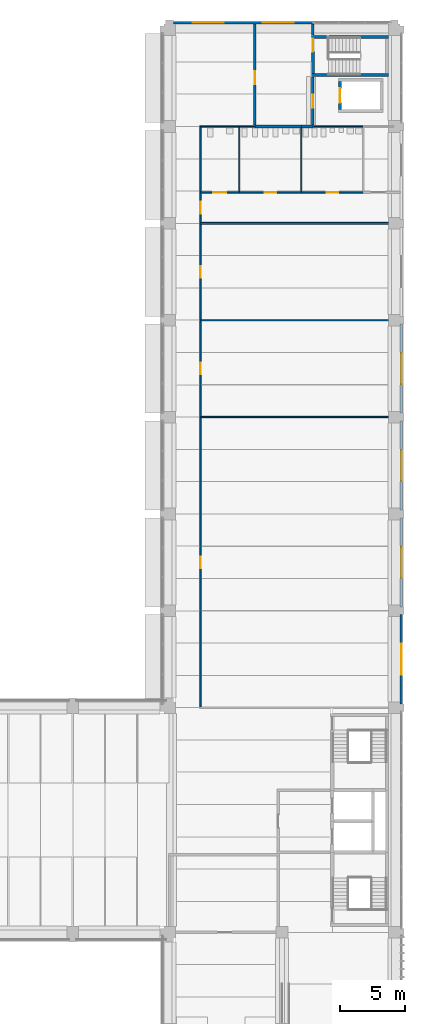
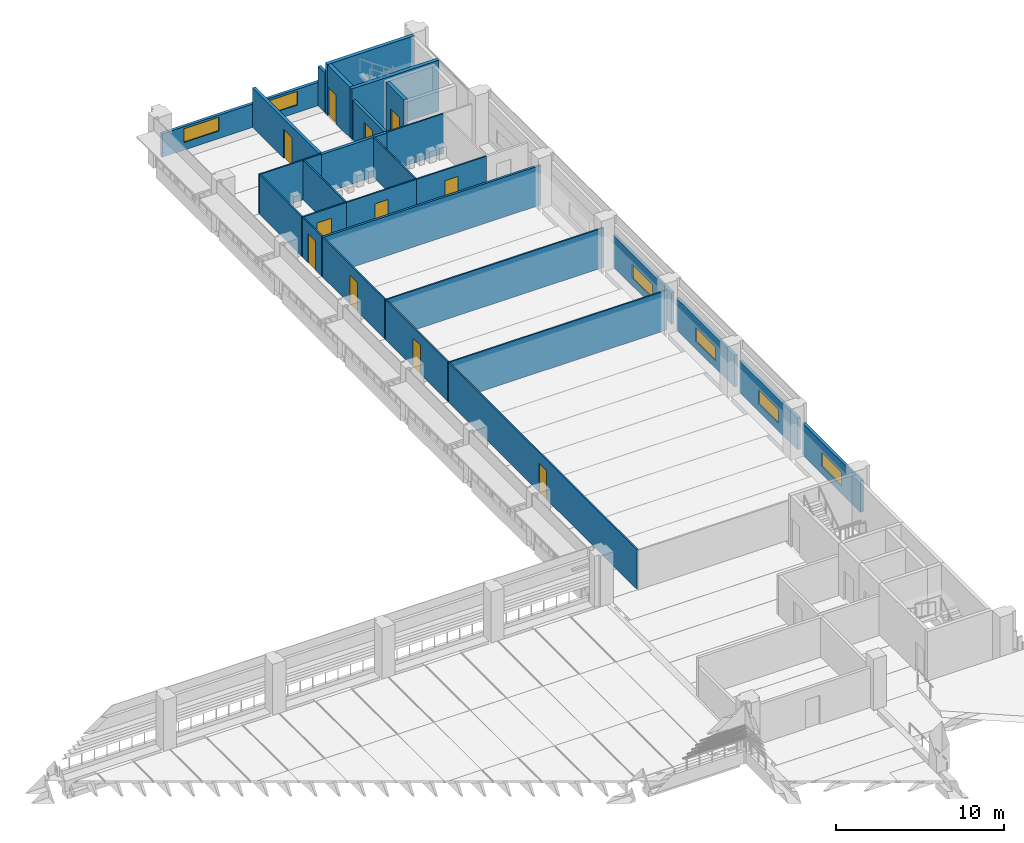
# One storey, part 34 of 57: 30 walls, 11 doors, 6 windows, 17 openings.
"""IFC4 building model written with IfcOpenShell, lengths in metres."""

from ifc_helpers import new_model, si_unit, direction, frame, frame_2d, origin, place, context, subcontext, project, spatial, rectangle, extrude, material, layer, layer_set, type_object, element, fill, save


model = new_model("IFC4")

# Units and contexts
model_context = context("Model", 3, precision=1e-05, world=origin(), true_north=direction((0.0, 1.0)))
body_context = subcontext(model_context, "Body", "Model", "MODEL_VIEW")
ifc_project = project(units=[si_unit("LENGTHUNIT", "METRE"), si_unit("AREAUNIT", "SQUARE_METRE"), si_unit("VOLUMEUNIT", "CUBIC_METRE"), si_unit("PLANEANGLEUNIT", "RADIAN"), si_unit("MASSUNIT", "GRAM", prefix="KILO")], contexts=[model_context])

# Site, building, storey
site_placement = place(None, origin())
site = spatial("IfcSite", under=ifc_project, at=site_placement, CompositionType="ELEMENT")
building_placement = place(site_placement, origin())
building = spatial("IfcBuilding", under=site, at=building_placement, Name="Cour d'Honneur Mobility Palace", CompositionType="ELEMENT")
storey_placement = place(building_placement, frame((0.0, 0.0, 8.199951171875)))
storey = spatial("IfcBuildingStorey", under=building, at=storey_placement, Name="L02", CompositionType="ELEMENT", Elevation=8.199951171875)

# Wall, opening, door
ifc_material_1 = material(Name="Concrete C50", Category="concrete")
ifc_layer_1 = layer(ifc_material_1, 0.25)
ifc_layer_set_1 = layer_set([ifc_layer_1], Name="Concrete C50")
wall_type_1 = type_object("IfcWallType", Name="Lift shaft wall 250", PredefinedType="SHEAR", material=ifc_layer_set_1)
wall_1_placement = place(storey_placement, frame((158.10009765625, 108.72509765625, 0.0), z_axis=(0.0, 0.0, 1.0), x_axis=(0.0, 1.0, 0.0)))
wall_1 = element("IfcWall", 1, at=wall_1_placement, inside=storey, type_object=wall_type_1, Name="Lift shaft wall WL-NE6 L02", PredefinedType="SHEAR", context=body_context, shape_type="SweptSolid", body=[
    extrude(rectangle(XDim=2.14990234375, YDim=0.25, at=frame_2d((1.074951171875, 0.0))), origin(), (0.0, 0.0, 1.0), 3.699951171875),
])
opening_1_placement = place(wall_1_placement, frame((0.52490234375, 0.0, 0.0)))
opening_1 = element("IfcOpeningElement", 2, at=opening_1_placement, cuts=wall_1, Name="Opening LD61", PredefinedType="OPENING", context=body_context, shape_type="SweptSolid", body=[
    extrude(rectangle(XDim=1.10009765625, YDim=2.10009765625, at=frame_2d((0.550048828125, 1.050048828125))), frame((0.0, 0.135009765625, 0.0), z_axis=(0.0, -1.0, 0.0), x_axis=(1.0, 0.0, 0.0)), (0.0, 0.0, 1.0), 0.27001953125),
])
ifc_material_2 = material(Name="Stainless steel", Category="steel")
door_type_1 = type_object("IfcDoorType", Name="Landing door 1100 x 2100", OperationType="SLIDING_TO_LEFT", PredefinedType="DOOR", material=ifc_material_2)
door_1_placement = place(opening_1_placement, origin())
door_1 = element("IfcDoor", 3, at=door_1_placement, inside=storey, type_object=door_type_1, Name="Landing door LF-NE1 L02", OperationType="SLIDING_TO_LEFT", OverallHeight=2.10009765625, OverallWidth=1.10009765625, PredefinedType="DOOR", context=body_context, shape_type="SweptSolid", body=[
    extrude(rectangle(XDim=1.10009765625, YDim=2.10009765625, at=frame_2d((0.550048828125, 1.050048828125))), frame((0.0, 0.02490234375, 0.0), z_axis=(0.0, -1.0, 0.0), x_axis=(1.0, 0.0, 0.0)), (0.0, 0.0, 1.0), 0.050048828125),
])
fill(opening_1, door_1)

ifc_material_3 = material(Name="Concrete C50", Category="concrete")
ifc_layer_2 = layer(ifc_material_3, 0.199951171875)
ifc_layer_set_2 = layer_set([ifc_layer_2], Name="Concrete C50")
wall_type_2 = type_object("IfcWallType", Name="Load-bearing lobby wall 200 rated EI 120", PredefinedType="PARTITIONING", material=ifc_layer_set_2)
wall_2_placement = place(storey_placement, frame((156.0, 107.5, 0.0), z_axis=(0.0, 0.0, 1.0), x_axis=(0.0, 1.0, 0.0)))
wall_2 = element("IfcWall", 4, at=wall_2_placement, inside=storey, type_object=wall_type_2, Name="Partition 081", PredefinedType="PARTITIONING", context=body_context, shape_type="SweptSolid", body=[
    extrude(rectangle(XDim=3.72509765625, YDim=0.199951171875, at=frame_2d((1.862548828125, 0.0))), origin(), (0.0, 0.0, 1.0), 2.880126953125),
])
opening_2_placement = place(wall_2_placement, frame((1.362548828125, 0.0, 0.0)))
opening_2 = element("IfcOpeningElement", 5, at=opening_2_placement, cuts=wall_2, Name="Opening D0230", PredefinedType="OPENING", context=body_context, shape_type="SweptSolid", body=[
    extrude(rectangle(XDim=1.0, YDim=2.10009765625, at=frame_2d((0.5, 1.050048828125))), frame((0.0, 0.10986328125, 0.0), z_axis=(0.0, -1.0, 0.0), x_axis=(1.0, 0.0, 0.0)), (0.0, 0.0, 1.0), 0.219970703125),
])
ifc_material_4 = material(Name="Galvanised steel", Category="steel")
door_type_2 = type_object("IfcDoorType", Name="Fire door FD120 1000 x 2100", OperationType="SINGLE_SWING_LEFT", PredefinedType="DOOR", material=ifc_material_4)
door_2_placement = place(opening_2_placement, origin())
door_2 = element("IfcDoor", 6, at=door_2_placement, inside=storey, type_object=door_type_2, Name="Door Lift Lobby", OperationType="SINGLE_SWING_RIGHT", OverallHeight=2.10009765625, OverallWidth=1.0, PredefinedType="DOOR", context=body_context, shape_type="SweptSolid", body=[
    extrude(rectangle(XDim=1.0, YDim=2.10009765625, at=frame_2d((0.5, 1.050048828125))), frame((0.0, 0.02490234375, 0.0), z_axis=(0.0, -1.0, 0.0), x_axis=(1.0, 0.0, 0.0)), (0.0, 0.0, 1.0), 0.050048828125),
])
fill(opening_2, door_2)

ifc_material_5 = material(Name="Gypsum plasterboard")
ifc_layer_3 = layer(ifc_material_5, 0.10009765625)
ifc_layer_set_3 = layer_set([ifc_layer_3], Name="Gypsum plasterboard")
wall_type_3 = type_object("IfcWallType", Name="Partition 100", PredefinedType="PARTITIONING", material=ifc_layer_set_3)
wall_3_placement = place(storey_placement, frame((147.300048828125, 84.85009765625, 0.0), z_axis=(0.0, 0.0, 1.0), x_axis=(0.0, -1.0, 0.0)))
wall_3 = element("IfcWall", 7, at=wall_3_placement, inside=storey, type_object=wall_type_3, Name="Partition 046", PredefinedType="PARTITIONING", context=body_context, shape_type="SweptSolid", body=[
    extrude(rectangle(XDim=22.400146484375, YDim=0.10009765625, at=frame_2d((11.2001953125, 0.0))), origin(), (0.0, 0.0, 1.0), 2.880126953125),
])
opening_3_placement = place(wall_3_placement, frame((10.75, 0.0, 0.0)))
opening_3 = element("IfcOpeningElement", 8, at=opening_3_placement, cuts=wall_3, Name="Opening D0220", PredefinedType="OPENING", context=body_context, shape_type="SweptSolid", body=[
    extrude(rectangle(XDim=0.89990234375, YDim=2.10009765625, at=frame_2d((0.449951171875, 1.050048828125))), frame((0.0, 0.06005859375, 0.0), z_axis=(0.0, -1.0, 0.0), x_axis=(1.0, 0.0, 0.0)), (0.0, 0.0, 1.0), 0.1201171875),
])
ifc_material_6 = material(Name="Solid timber", Category="wood")
door_type_3 = type_object("IfcDoorType", Name="Single door 900 x 2100", OperationType="SINGLE_SWING_LEFT", PredefinedType="DOOR", material=ifc_material_6)
door_3_placement = place(opening_3_placement, origin())
door_3 = element("IfcDoor", 9, at=door_3_placement, inside=storey, type_object=door_type_3, Name="Door Mobility Operations Centre", OperationType="SINGLE_SWING_LEFT", OverallHeight=2.10009765625, OverallWidth=0.89990234375, PredefinedType="DOOR", context=body_context, shape_type="SweptSolid", body=[
    extrude(rectangle(XDim=0.89990234375, YDim=2.10009765625, at=frame_2d((0.449951171875, 1.050048828125))), frame((0.0, 0.02490234375, 0.0), z_axis=(0.0, -1.0, 0.0), x_axis=(1.0, 0.0, 0.0)), (0.0, 0.0, 1.0), 0.050048828125),
])
fill(opening_3, door_3)

# Wall
wall_4_placement = place(storey_placement, frame((162.239990234375, 84.89990234375, 0.0), z_axis=(0.0, 0.0, 1.0), x_axis=(-1.0, 0.0, 0.0)))
element("IfcWall", 10, at=wall_4_placement, inside=storey, type_object=wall_type_3, Name="Partition 047", PredefinedType="PARTITIONING", context=body_context, shape_type="SweptSolid", body=[
    extrude(rectangle(XDim=14.989990234375, YDim=0.10009765625, at=frame_2d((7.4951171875, 0.0))), origin(), (0.0, 0.0, 1.0), 2.880126953125),
])

# Wall, opening, door
wall_5_placement = place(storey_placement, frame((147.300048828125, 92.35009765625, 0.0), z_axis=(0.0, 0.0, 1.0), x_axis=(0.0, -1.0, 0.0)))
wall_5 = element("IfcWall", 11, at=wall_5_placement, inside=storey, type_object=wall_type_3, Name="Partition 048", PredefinedType="PARTITIONING", context=body_context, shape_type="SweptSolid", body=[
    extrude(rectangle(XDim=7.400146484375, YDim=0.10009765625, at=frame_2d((3.7001953125, 0.0))), origin(), (0.0, 0.0, 1.0), 2.880126953125),
])
opening_4_placement = place(wall_5_placement, frame((3.25, 0.0, 0.0)))
opening_4 = element("IfcOpeningElement", 12, at=opening_4_placement, cuts=wall_5, Name="Opening D0221", PredefinedType="OPENING", context=body_context, shape_type="SweptSolid", body=[
    extrude(rectangle(XDim=0.89990234375, YDim=2.10009765625, at=frame_2d((0.449951171875, 1.050048828125))), frame((0.0, 0.06005859375, 0.0), z_axis=(0.0, -1.0, 0.0), x_axis=(1.0, 0.0, 0.0)), (0.0, 0.0, 1.0), 0.1201171875),
])
door_4_placement = place(opening_4_placement, origin())
door_4 = element("IfcDoor", 13, at=door_4_placement, inside=storey, type_object=door_type_3, Name="Door Driver Training Room 1", OperationType="SINGLE_SWING_LEFT", OverallHeight=2.10009765625, OverallWidth=0.89990234375, PredefinedType="DOOR", context=body_context, shape_type="SweptSolid", body=[
    extrude(rectangle(XDim=0.89990234375, YDim=2.10009765625, at=frame_2d((0.449951171875, 1.050048828125))), frame((0.0, 0.02490234375, 0.0), z_axis=(0.0, -1.0, 0.0), x_axis=(1.0, 0.0, 0.0)), (0.0, 0.0, 1.0), 0.050048828125),
])
fill(opening_4, door_4)

# Wall
wall_6_placement = place(storey_placement, frame((162.239990234375, 92.39990234375, 0.0), z_axis=(0.0, 0.0, 1.0), x_axis=(-1.0, 0.0, 0.0)))
element("IfcWall", 14, at=wall_6_placement, inside=storey, type_object=wall_type_3, Name="Partition 049", PredefinedType="PARTITIONING", context=body_context, shape_type="SweptSolid", body=[
    extrude(rectangle(XDim=14.989990234375, YDim=0.10009765625, at=frame_2d((7.4951171875, 0.0))), origin(), (0.0, 0.0, 1.0), 2.880126953125),
])

# Wall, opening, door
wall_7_placement = place(storey_placement, frame((147.300048828125, 99.824951171875, 0.0), z_axis=(0.0, 0.0, 1.0), x_axis=(0.0, -1.0, 0.0)))
wall_7 = element("IfcWall", 15, at=wall_7_placement, inside=storey, type_object=wall_type_3, Name="Partition 052", PredefinedType="PARTITIONING", context=body_context, shape_type="SweptSolid", body=[
    extrude(rectangle(XDim=7.375, YDim=0.10009765625, at=frame_2d((3.6875, 0.0))), origin(), (0.0, 0.0, 1.0), 2.880126953125),
])
opening_5_placement = place(wall_7_placement, frame((3.237548828125, 0.0, 0.0)))
opening_5 = element("IfcOpeningElement", 16, at=opening_5_placement, cuts=wall_7, Name="Opening D0222", PredefinedType="OPENING", context=body_context, shape_type="SweptSolid", body=[
    extrude(rectangle(XDim=0.89990234375, YDim=2.10009765625, at=frame_2d((0.449951171875, 1.050048828125))), frame((0.0, 0.06005859375, 0.0), z_axis=(0.0, -1.0, 0.0), x_axis=(1.0, 0.0, 0.0)), (0.0, 0.0, 1.0), 0.1201171875),
])
door_5_placement = place(opening_5_placement, origin())
door_5 = element("IfcDoor", 17, at=door_5_placement, inside=storey, type_object=door_type_3, Name="Door Driver Training Room 2", OperationType="SINGLE_SWING_LEFT", OverallHeight=2.10009765625, OverallWidth=0.89990234375, PredefinedType="DOOR", context=body_context, shape_type="SweptSolid", body=[
    extrude(rectangle(XDim=0.89990234375, YDim=2.10009765625, at=frame_2d((0.449951171875, 1.050048828125))), frame((0.0, 0.02490234375, 0.0), z_axis=(0.0, -1.0, 0.0), x_axis=(1.0, 0.0, 0.0)), (0.0, 0.0, 1.0), 0.050048828125),
])
fill(opening_5, door_5)

wall_8_placement = place(storey_placement, frame((147.300048828125, 102.25, 0.0), z_axis=(0.0, 0.0, 1.0), x_axis=(0.0, -1.0, 0.0)))
wall_8 = element("IfcWall", 18, at=wall_8_placement, inside=storey, type_object=wall_type_3, Name="Partition 062", PredefinedType="PARTITIONING", context=body_context, shape_type="SweptSolid", body=[
    extrude(rectangle(XDim=2.27490234375, YDim=0.10009765625, at=frame_2d((1.137451171875, 0.0))), origin(), (0.0, 0.0, 1.0), 2.880126953125),
])
opening_6_placement = place(wall_8_placement, frame((0.6875, 0.0, 0.0)))
opening_6 = element("IfcOpeningElement", 19, at=opening_6_placement, cuts=wall_8, Name="Opening D0223", PredefinedType="OPENING", context=body_context, shape_type="SweptSolid", body=[
    extrude(rectangle(XDim=0.89990234375, YDim=2.10009765625, at=frame_2d((0.449951171875, 1.050048828125))), frame((0.0, 0.06005859375, 0.0), z_axis=(0.0, -1.0, 0.0), x_axis=(1.0, 0.0, 0.0)), (0.0, 0.0, 1.0), 0.1201171875),
])
door_6_placement = place(opening_6_placement, origin())
door_6 = element("IfcDoor", 20, at=door_6_placement, inside=storey, type_object=door_type_3, Name="Door WC Corridor East", OperationType="SINGLE_SWING_LEFT", OverallHeight=2.10009765625, OverallWidth=0.89990234375, PredefinedType="DOOR", context=body_context, shape_type="SweptSolid", body=[
    extrude(rectangle(XDim=0.89990234375, YDim=2.10009765625, at=frame_2d((0.449951171875, 1.050048828125))), frame((0.0, 0.02490234375, 0.0), z_axis=(0.0, -1.0, 0.0), x_axis=(1.0, 0.0, 0.0)), (0.0, 0.0, 1.0), 0.050048828125),
])
fill(opening_6, door_6)

wall_9_placement = place(storey_placement, frame((150.300048828125, 102.300048828125, 0.0), z_axis=(0.0, 0.0, 1.0), x_axis=(-1.0, 0.0, 0.0)))
wall_9 = element("IfcWall", 21, at=wall_9_placement, inside=storey, type_object=wall_type_3, Name="Partition 063", PredefinedType="PARTITIONING", context=body_context, shape_type="SweptSolid", body=[
    extrude(rectangle(XDim=3.050048828125, YDim=0.10009765625, at=frame_2d((1.52490234375, 0.0))), origin(), (0.0, 0.0, 1.0), 2.880126953125),
])
opening_7_placement = place(wall_9_placement, frame((1.02490234375, 0.0, 0.0)))
opening_7 = element("IfcOpeningElement", 22, at=opening_7_placement, cuts=wall_9, Name="Opening D0227", PredefinedType="OPENING", context=body_context, shape_type="SweptSolid", body=[
    extrude(rectangle(XDim=1.0, YDim=2.10009765625, at=frame_2d((0.5, 1.050048828125))), frame((0.0, 0.06005859375, 0.0), z_axis=(0.0, -1.0, 0.0), x_axis=(1.0, 0.0, 0.0)), (0.0, 0.0, 1.0), 0.1201171875),
])
ifc_material_7 = material(Name="Solid timber", Category="wood")
door_type_4 = type_object("IfcDoorType", Name="Accessible door 1000 x 2100", OperationType="SINGLE_SWING_LEFT", PredefinedType="DOOR", material=ifc_material_7)
door_7_placement = place(opening_7_placement, origin())
door_7 = element("IfcDoor", 23, at=door_7_placement, inside=storey, type_object=door_type_4, Name="Door Accessible WC East", OperationType="SINGLE_SWING_RIGHT", OverallHeight=2.10009765625, OverallWidth=1.0, PredefinedType="DOOR", context=body_context, shape_type="SweptSolid", body=[
    extrude(rectangle(XDim=1.0, YDim=2.10009765625, at=frame_2d((0.5, 1.050048828125))), frame((0.0, 0.02490234375, 0.0), z_axis=(0.0, -1.0, 0.0), x_axis=(1.0, 0.0, 0.0)), (0.0, 0.0, 1.0), 0.050048828125),
])
fill(opening_7, door_7)

wall_10_placement = place(storey_placement, frame((155.10009765625, 102.300048828125, 0.0), z_axis=(0.0, 0.0, 1.0), x_axis=(-1.0, 0.0, 0.0)))
wall_10 = element("IfcWall", 24, at=wall_10_placement, inside=storey, type_object=wall_type_3, Name="Partition 064", PredefinedType="PARTITIONING", context=body_context, shape_type="SweptSolid", body=[
    extrude(rectangle(XDim=4.800048828125, YDim=0.10009765625, at=frame_2d((2.39990234375, 0.0))), origin(), (0.0, 0.0, 1.0), 2.880126953125),
])
opening_8_placement = place(wall_10_placement, frame((1.949951171875, 0.0, 0.0)))
opening_8 = element("IfcOpeningElement", 25, at=opening_8_placement, cuts=wall_10, Name="Opening D0226", PredefinedType="OPENING", context=body_context, shape_type="SweptSolid", body=[
    extrude(rectangle(XDim=0.89990234375, YDim=2.10009765625, at=frame_2d((0.449951171875, 1.050048828125))), frame((0.0, 0.06005859375, 0.0), z_axis=(0.0, -1.0, 0.0), x_axis=(1.0, 0.0, 0.0)), (0.0, 0.0, 1.0), 0.1201171875),
])
door_8_placement = place(opening_8_placement, origin())
door_8 = element("IfcDoor", 26, at=door_8_placement, inside=storey, type_object=door_type_3, Name="Door WC Women East", OperationType="SINGLE_SWING_LEFT", OverallHeight=2.10009765625, OverallWidth=0.89990234375, PredefinedType="DOOR", context=body_context, shape_type="SweptSolid", body=[
    extrude(rectangle(XDim=0.89990234375, YDim=2.10009765625, at=frame_2d((0.449951171875, 1.050048828125))), frame((0.0, 0.02490234375, 0.0), z_axis=(0.0, -1.0, 0.0), x_axis=(1.0, 0.0, 0.0)), (0.0, 0.0, 1.0), 0.050048828125),
])
fill(opening_8, door_8)

wall_11_placement = place(storey_placement, frame((159.89990234375, 102.300048828125, 0.0), z_axis=(0.0, 0.0, 1.0), x_axis=(-1.0, 0.0, 0.0)))
wall_11 = element("IfcWall", 27, at=wall_11_placement, inside=storey, type_object=wall_type_3, Name="Partition 065", PredefinedType="PARTITIONING", context=body_context, shape_type="SweptSolid", body=[
    extrude(rectangle(XDim=4.7998046875, YDim=0.10009765625, at=frame_2d((2.39990234375, 0.0))), origin(), (0.0, 0.0, 1.0), 2.880126953125),
])
opening_9_placement = place(wall_11_placement, frame((1.949951171875, 0.0, 0.0)))
opening_9 = element("IfcOpeningElement", 28, at=opening_9_placement, cuts=wall_11, Name="Opening D0225", PredefinedType="OPENING", context=body_context, shape_type="SweptSolid", body=[
    extrude(rectangle(XDim=0.89990234375, YDim=2.10009765625, at=frame_2d((0.449951171875, 1.050048828125))), frame((0.0, 0.06005859375, 0.0), z_axis=(0.0, -1.0, 0.0), x_axis=(1.0, 0.0, 0.0)), (0.0, 0.0, 1.0), 0.1201171875),
])
door_9_placement = place(opening_9_placement, origin())
door_9 = element("IfcDoor", 29, at=door_9_placement, inside=storey, type_object=door_type_3, Name="Door WC Men East", OperationType="SINGLE_SWING_LEFT", OverallHeight=2.10009765625, OverallWidth=0.89990234375, PredefinedType="DOOR", context=body_context, shape_type="SweptSolid", body=[
    extrude(rectangle(XDim=0.89990234375, YDim=2.10009765625, at=frame_2d((0.449951171875, 1.050048828125))), frame((0.0, 0.02490234375, 0.0), z_axis=(0.0, -1.0, 0.0), x_axis=(1.0, 0.0, 0.0)), (0.0, 0.0, 1.0), 0.050048828125),
])
fill(opening_9, door_9)

# Walls
for number, where, z_axis, x_axis, name in (
    (30, (147.300048828125, 107.35009765625, 0.0), (0.0, 0.0, 1.0), (0.0, -1.0, 0.0), "Partition 074"),
    (31, (150.300048828125, 107.35009765625, 0.0), (0.0, 0.0, 1.0), (0.0, -1.0, 0.0), "Partition 075"),
):
    element("IfcWall", number, at=place(storey_placement, frame(where, z_axis=z_axis, x_axis=x_axis)), inside=storey, type_object=wall_type_3, Name=name, PredefinedType="PARTITIONING", context=body_context, shape_type="SweptSolid", body=[
        extrude(rectangle(XDim=5.0, YDim=0.10009765625, at=frame_2d((2.5, 0.0))), origin(), (0.0, 0.0, 1.0), 2.880126953125),
    ])
wall_12_placement = place(storey_placement, frame((150.300048828125, 107.39990234375, 0.0), z_axis=(0.0, 0.0, 1.0), x_axis=(-1.0, 0.0, 0.0)))
element("IfcWall", 32, at=wall_12_placement, inside=storey, type_object=wall_type_3, Name="Partition 076", PredefinedType="PARTITIONING", context=body_context, shape_type="SweptSolid", body=[
    extrude(rectangle(XDim=3.050048828125, YDim=0.10009765625, at=frame_2d((1.52490234375, 0.0))), origin(), (0.0, 0.0, 1.0), 2.880126953125),
])
wall_13_placement = place(storey_placement, frame((151.5, 107.39990234375, 0.0), z_axis=(0.0, 0.0, 1.0), x_axis=(-1.0, 0.0, 0.0)))
element("IfcWall", 33, at=wall_13_placement, inside=storey, type_object=wall_type_3, Name="Partition 077", PredefinedType="PARTITIONING", context=body_context, shape_type="SweptSolid", body=[
    extrude(rectangle(XDim=1.199951171875, YDim=0.10009765625, at=frame_2d((0.60009765625, 0.0))), origin(), (0.0, 0.0, 1.0), 2.880126953125),
])
wall_14_placement = place(storey_placement, frame((155.10009765625, 107.300048828125, 0.0), z_axis=(0.0, 0.0, 1.0), x_axis=(0.0, -1.0, 0.0)))
element("IfcWall", 34, at=wall_14_placement, inside=storey, type_object=wall_type_3, Name="Partition 079", PredefinedType="PARTITIONING", context=body_context, shape_type="SweptSolid", body=[
    extrude(rectangle(XDim=4.949951171875, YDim=0.10009765625, at=frame_2d((2.47509765625, 0.0))), origin(), (0.0, 0.0, 1.0), 2.880126953125),
])
wall_15_placement = place(storey_placement, frame((159.89990234375, 107.39990234375, 0.0), z_axis=(0.0, 0.0, 1.0), x_axis=(-1.0, 0.0, 0.0)))
element("IfcWall", 35, at=wall_15_placement, inside=storey, type_object=wall_type_3, Name="Partition 083", PredefinedType="PARTITIONING", context=body_context, shape_type="SweptSolid", body=[
    extrude(rectangle(XDim=3.89990234375, YDim=0.10009765625, at=frame_2d((1.949951171875, 0.0))), origin(), (0.0, 0.0, 1.0), 2.880126953125),
])
ifc_material_8 = material(Name="Gypsum plasterboard")
ifc_layer_4 = layer(ifc_material_8, 0.14990234375)
ifc_layer_set_4 = layer_set([ifc_layer_4], Name="Gypsum plasterboard")
wall_type_4 = type_object("IfcWallType", Name="Partition 150 rated EI 60", PredefinedType="PARTITIONING", material=ifc_layer_set_4)
wall_16_placement = place(storey_placement, frame((162.239990234375, 99.89990234375, 0.0), z_axis=(0.0, 0.0, 1.0), x_axis=(-1.0, 0.0, 0.0)))
element("IfcWall", 36, at=wall_16_placement, inside=storey, type_object=wall_type_4, Name="Partition 053", PredefinedType="PARTITIONING", context=body_context, shape_type="SweptSolid", body=[
    extrude(rectangle(XDim=14.989990234375, YDim=0.14990234375, at=frame_2d((7.4951171875, 0.0))), origin(), (0.0, 0.0, 1.0), 2.880126953125),
])
ifc_material_9 = material(Name="Gypsum plasterboard")
ifc_layer_5 = layer(ifc_material_9, 0.199951171875)
ifc_layer_set_5 = layer_set([ifc_layer_5], Name="Gypsum plasterboard")
wall_type_5 = type_object("IfcWallType", Name="Partition 200 rated EI 120", PredefinedType="PARTITIONING", material=ifc_layer_set_5)
wall_17_placement = place(storey_placement, frame((151.5, 107.39990234375, 0.0), z_axis=(0.0, 0.0, 1.0), x_axis=(1.0, 0.0, 0.0)))
element("IfcWall", 37, at=wall_17_placement, inside=storey, type_object=wall_type_5, Name="Partition 078", PredefinedType="PARTITIONING", context=body_context, shape_type="SweptSolid", body=[
    extrude(rectangle(XDim=3.60009765625, YDim=0.199951171875, at=frame_2d((1.800048828125, 0.0))), origin(), (0.0, 0.0, 1.0), 2.880126953125),
])
wall_18_placement = place(storey_placement, frame((155.10009765625, 107.39990234375, 0.0), z_axis=(0.0, 0.0, 1.0), x_axis=(1.0, 0.0, 0.0)))
element("IfcWall", 38, at=wall_18_placement, inside=storey, type_object=wall_type_5, Name="Partition 080", PredefinedType="PARTITIONING", context=body_context, shape_type="SweptSolid", body=[
    extrude(rectangle(XDim=0.89990234375, YDim=0.199951171875, at=frame_2d((0.449951171875, 0.0))), origin(), (0.0, 0.0, 1.0), 2.880126953125),
])
wall_19_placement = place(storey_placement, frame((156.0, 114.5, 0.0), z_axis=(0.0, 0.0, 1.0), x_axis=(0.0, 1.0, 0.0)))
element("IfcWall", 39, at=wall_19_placement, inside=storey, type_object=wall_type_5, Name="Partition 086", PredefinedType="PARTITIONING", context=body_context, shape_type="SweptSolid", body=[
    extrude(rectangle(XDim=0.85009765625, YDim=0.199951171875, at=frame_2d((0.425048828125, 0.0))), origin(), (0.0, 0.0, 1.0), 2.880126953125),
])

# Wall, opening, door
wall_20_placement = place(storey_placement, frame((151.5, 115.35009765625, 0.0), z_axis=(0.0, 0.0, 1.0), x_axis=(0.0, -1.0, 0.0)))
wall_20 = element("IfcWall", 40, at=wall_20_placement, inside=storey, type_object=wall_type_5, Name="Partition 088", PredefinedType="PARTITIONING", context=body_context, shape_type="SweptSolid", body=[
    extrude(rectangle(XDim=7.85009765625, YDim=0.199951171875, at=frame_2d((3.925048828125, 0.0))), origin(), (0.0, 0.0, 1.0), 2.880126953125),
])
opening_10_placement = place(wall_20_placement, frame((3.679931640625, 0.0, 0.0)))
opening_10 = element("IfcOpeningElement", 41, at=opening_10_placement, cuts=wall_20, Name="Opening D0203", PredefinedType="OPENING", context=body_context, shape_type="SweptSolid", body=[
    extrude(rectangle(XDim=1.0, YDim=2.10009765625, at=frame_2d((0.5, 1.050048828125))), frame((0.0, 0.10986328125, 0.0), z_axis=(0.0, -1.0, 0.0), x_axis=(1.0, 0.0, 0.0)), (0.0, 0.0, 1.0), 0.219970703125),
])
door_10_placement = place(opening_10_placement, origin())
door_10 = element("IfcDoor", 42, at=door_10_placement, inside=storey, type_object=door_type_2, Name="Door Lift Lobby NE", OperationType="SINGLE_SWING_RIGHT", OverallHeight=2.10009765625, OverallWidth=1.0, PredefinedType="DOOR", context=body_context, shape_type="SweptSolid", body=[
    extrude(rectangle(XDim=1.0, YDim=2.10009765625, at=frame_2d((0.5, 1.050048828125))), frame((0.0, 0.02490234375, 0.0), z_axis=(0.0, -1.0, 0.0), x_axis=(1.0, 0.0, 0.0)), (0.0, 0.0, 1.0), 0.050048828125),
])
fill(opening_10, door_10)

# Wall, opening, window
ifc_material_10 = material(Name="Concrete C40", Category="concrete")
ifc_layer_6 = layer(ifc_material_10, 0.199951171875)
ifc_layer_set_6 = layer_set([ifc_layer_6], Name="Concrete C40")
wall_type_6 = type_object("IfcWallType", Name="Spandrel panel", PredefinedType="SOLIDWALL", material=ifc_layer_set_6)
wall_21_placement = place(storey_placement, frame((162.85009765625, 62.699951171875, 0.0), z_axis=(0.0, 0.0, 1.0), x_axis=(0.0, 1.0, 0.0)))
wall_21 = element("IfcWall", 43, at=wall_21_placement, inside=storey, type_object=wall_type_6, Name="Spandrel panel SW-41", PredefinedType="SOLIDWALL", context=body_context, shape_type="SweptSolid", body=[
    extrude(rectangle(XDim=6.900146484375, YDim=0.199951171875, at=frame_2d((3.4501953125, 0.0))), origin(), (0.0, 0.0, 1.0), 2.300048828125),
])
opening_11_placement = place(wall_21_placement, frame((2.25, 0.0, 0.550048828125)))
opening_11 = element("IfcOpeningElement", 44, at=opening_11_placement, cuts=wall_21, Name="Opening W2-41", PredefinedType="OPENING", context=body_context, shape_type="SweptSolid", body=[
    extrude(rectangle(XDim=2.39990234375, YDim=1.0, at=frame_2d((1.199951171875, 0.5))), frame((0.0, 0.10986328125, 0.0), z_axis=(0.0, -1.0, 0.0), x_axis=(1.0, 0.0, 0.0)), (0.0, 0.0, 1.0), 0.219970703125),
])
ifc_material_11 = material(Name="Aluminium frame and glass", Category="aluminium")
window_type = type_object("IfcWindowType", Name="Gallery window W2", PartitioningType="TRIPLE_PANEL_VERTICAL", PredefinedType="WINDOW", material=ifc_material_11)
window_1_placement = place(opening_11_placement, origin())
window_1 = element("IfcWindow", 45, at=window_1_placement, inside=storey, type_object=window_type, Name="Gallery window W2 W2-41", OverallHeight=1.0, OverallWidth=2.39990234375, PartitioningType="SINGLE_PANEL", PredefinedType="WINDOW", context=body_context, shape_type="SweptSolid", body=[
    extrude(rectangle(XDim=2.39990234375, YDim=1.0, at=frame_2d((1.199951171875, 0.5))), frame((0.0, 0.030029296875, 0.0), z_axis=(0.0, -1.0, 0.0), x_axis=(1.0, 0.0, 0.0)), (0.0, 0.0, 1.0), 0.06005859375),
])
fill(opening_11, window_1)

wall_22_placement = place(storey_placement, frame((162.85009765625, 70.199951171875, 0.0), z_axis=(0.0, 0.0, 1.0), x_axis=(0.0, 1.0, 0.0)))
wall_22 = element("IfcWall", 46, at=wall_22_placement, inside=storey, type_object=wall_type_6, Name="Spandrel panel SW-42", PredefinedType="SOLIDWALL", context=body_context, shape_type="SweptSolid", body=[
    extrude(rectangle(XDim=6.900146484375, YDim=0.199951171875, at=frame_2d((3.4501953125, 0.0))), origin(), (0.0, 0.0, 1.0), 2.300048828125),
])
opening_12_placement = place(wall_22_placement, frame((2.25, 0.0, 0.550048828125)))
opening_12 = element("IfcOpeningElement", 47, at=opening_12_placement, cuts=wall_22, Name="Opening W2-42", PredefinedType="OPENING", context=body_context, shape_type="SweptSolid", body=[
    extrude(rectangle(XDim=2.39990234375, YDim=1.0, at=frame_2d((1.199951171875, 0.5))), frame((0.0, 0.10986328125, 0.0), z_axis=(0.0, -1.0, 0.0), x_axis=(1.0, 0.0, 0.0)), (0.0, 0.0, 1.0), 0.219970703125),
])
window_2_placement = place(opening_12_placement, origin())
window_2 = element("IfcWindow", 48, at=window_2_placement, inside=storey, type_object=window_type, Name="Gallery window W2 W2-42", OverallHeight=1.0, OverallWidth=2.39990234375, PartitioningType="SINGLE_PANEL", PredefinedType="WINDOW", context=body_context, shape_type="SweptSolid", body=[
    extrude(rectangle(XDim=2.39990234375, YDim=1.0, at=frame_2d((1.199951171875, 0.5))), frame((0.0, 0.030029296875, 0.0), z_axis=(0.0, -1.0, 0.0), x_axis=(1.0, 0.0, 0.0)), (0.0, 0.0, 1.0), 0.06005859375),
])
fill(opening_12, window_2)

wall_23_placement = place(storey_placement, frame((162.85009765625, 77.699951171875, 0.0), z_axis=(0.0, 0.0, 1.0), x_axis=(0.0, 1.0, 0.0)))
wall_23 = element("IfcWall", 49, at=wall_23_placement, inside=storey, type_object=wall_type_6, Name="Spandrel panel SW-43", PredefinedType="SOLIDWALL", context=body_context, shape_type="SweptSolid", body=[
    extrude(rectangle(XDim=6.900146484375, YDim=0.199951171875, at=frame_2d((3.4501953125, 0.0))), origin(), (0.0, 0.0, 1.0), 2.300048828125),
])
opening_13_placement = place(wall_23_placement, frame((2.25, 0.0, 0.550048828125)))
opening_13 = element("IfcOpeningElement", 50, at=opening_13_placement, cuts=wall_23, Name="Opening W2-43", PredefinedType="OPENING", context=body_context, shape_type="SweptSolid", body=[
    extrude(rectangle(XDim=2.39990234375, YDim=1.0, at=frame_2d((1.199951171875, 0.5))), frame((0.0, 0.10986328125, 0.0), z_axis=(0.0, -1.0, 0.0), x_axis=(1.0, 0.0, 0.0)), (0.0, 0.0, 1.0), 0.219970703125),
])
window_3_placement = place(opening_13_placement, origin())
window_3 = element("IfcWindow", 51, at=window_3_placement, inside=storey, type_object=window_type, Name="Gallery window W2 W2-43", OverallHeight=1.0, OverallWidth=2.39990234375, PartitioningType="SINGLE_PANEL", PredefinedType="WINDOW", context=body_context, shape_type="SweptSolid", body=[
    extrude(rectangle(XDim=2.39990234375, YDim=1.0, at=frame_2d((1.199951171875, 0.5))), frame((0.0, 0.030029296875, 0.0), z_axis=(0.0, -1.0, 0.0), x_axis=(1.0, 0.0, 0.0)), (0.0, 0.0, 1.0), 0.06005859375),
])
fill(opening_13, window_3)

wall_24_placement = place(storey_placement, frame((162.85009765625, 85.199951171875, 0.0), z_axis=(0.0, 0.0, 1.0), x_axis=(0.0, 1.0, 0.0)))
wall_24 = element("IfcWall", 52, at=wall_24_placement, inside=storey, type_object=wall_type_6, Name="Spandrel panel SW-44", PredefinedType="SOLIDWALL", context=body_context, shape_type="SweptSolid", body=[
    extrude(rectangle(XDim=6.900146484375, YDim=0.199951171875, at=frame_2d((3.4501953125, 0.0))), origin(), (0.0, 0.0, 1.0), 2.300048828125),
])
opening_14_placement = place(wall_24_placement, frame((2.25, 0.0, 0.550048828125)))
opening_14 = element("IfcOpeningElement", 53, at=opening_14_placement, cuts=wall_24, Name="Opening W2-44", PredefinedType="OPENING", context=body_context, shape_type="SweptSolid", body=[
    extrude(rectangle(XDim=2.39990234375, YDim=1.0, at=frame_2d((1.199951171875, 0.5))), frame((0.0, 0.10986328125, 0.0), z_axis=(0.0, -1.0, 0.0), x_axis=(1.0, 0.0, 0.0)), (0.0, 0.0, 1.0), 0.219970703125),
])
window_4_placement = place(opening_14_placement, origin())
window_4 = element("IfcWindow", 54, at=window_4_placement, inside=storey, type_object=window_type, Name="Gallery window W2 W2-44", OverallHeight=1.0, OverallWidth=2.39990234375, PartitioningType="SINGLE_PANEL", PredefinedType="WINDOW", context=body_context, shape_type="SweptSolid", body=[
    extrude(rectangle(XDim=2.39990234375, YDim=1.0, at=frame_2d((1.199951171875, 0.5))), frame((0.0, 0.030029296875, 0.0), z_axis=(0.0, -1.0, 0.0), x_axis=(1.0, 0.0, 0.0)), (0.0, 0.0, 1.0), 0.06005859375),
])
fill(opening_14, window_4)

# Wall, openings, windows
wall_25_placement = place(storey_placement, frame((156.0, 115.449951171875, 0.0), z_axis=(0.0, 0.0, 1.0), x_axis=(-1.0, 0.0, 0.0)))
wall_25 = element("IfcWall", 55, at=wall_25_placement, inside=storey, type_object=wall_type_6, Name="Spandrel panel SW-48", PredefinedType="SOLIDWALL", context=body_context, shape_type="SweptSolid", body=[
    extrude(rectangle(XDim=10.800048828125, YDim=0.199951171875, at=frame_2d((5.39990234375, 0.0))), origin(), (0.0, 0.0, 1.0), 1.699951171875),
])
opening_15_placement = place(wall_25_placement, frame((1.5, 0.0, 0.550048828125)))
opening_15 = element("IfcOpeningElement", 56, at=opening_15_placement, cuts=wall_25, Name="Opening W2-47", PredefinedType="OPENING", context=body_context, shape_type="SweptSolid", body=[
    extrude(rectangle(XDim=2.39990234375, YDim=1.0, at=frame_2d((1.199951171875, 0.5))), frame((0.0, 0.10986328125, 0.0), z_axis=(0.0, -1.0, 0.0), x_axis=(1.0, 0.0, 0.0)), (0.0, 0.0, 1.0), 0.219970703125),
])
opening_16_placement = place(wall_25_placement, frame((6.89990234375, 0.0, 0.550048828125)))
opening_16 = element("IfcOpeningElement", 57, at=opening_16_placement, cuts=wall_25, Name="Opening W2-48", PredefinedType="OPENING", context=body_context, shape_type="SweptSolid", body=[
    extrude(rectangle(XDim=2.39990234375, YDim=1.0, at=frame_2d((1.199951171875, 0.5))), frame((0.0, 0.10986328125, 0.0), z_axis=(0.0, -1.0, 0.0), x_axis=(1.0, 0.0, 0.0)), (0.0, 0.0, 1.0), 0.219970703125),
])
window_5_placement = place(opening_15_placement, origin())
window_5 = element("IfcWindow", 58, at=window_5_placement, inside=storey, type_object=window_type, Name="Gallery window W2 W2-47", OverallHeight=1.0, OverallWidth=2.39990234375, PartitioningType="SINGLE_PANEL", PredefinedType="WINDOW", context=body_context, shape_type="SweptSolid", body=[
    extrude(rectangle(XDim=2.39990234375, YDim=1.0, at=frame_2d((1.199951171875, 0.5))), frame((0.0, 0.030029296875, 0.0), z_axis=(0.0, -1.0, 0.0), x_axis=(1.0, 0.0, 0.0)), (0.0, 0.0, 1.0), 0.06005859375),
])
fill(opening_15, window_5)
window_6_placement = place(opening_16_placement, origin())
window_6 = element("IfcWindow", 59, at=window_6_placement, inside=storey, type_object=window_type, Name="Gallery window W2 W2-48", OverallHeight=1.0, OverallWidth=2.39990234375, PartitioningType="SINGLE_PANEL", PredefinedType="WINDOW", context=body_context, shape_type="SweptSolid", body=[
    extrude(rectangle(XDim=2.39990234375, YDim=1.0, at=frame_2d((1.199951171875, 0.5))), frame((0.0, 0.030029296875, 0.0), z_axis=(0.0, -1.0, 0.0), x_axis=(1.0, 0.0, 0.0)), (0.0, 0.0, 1.0), 0.06005859375),
])
fill(opening_16, window_6)

# Walls
ifc_material_12 = material(Name="Concrete C50", Category="concrete")
ifc_layer_7 = layer(ifc_material_12, 0.25)
ifc_layer_set_7 = layer_set([ifc_layer_7], Name="Concrete C50")
wall_type_7 = type_object("IfcWallType", Name="Stair wall 250", PredefinedType="SHEAR", material=ifc_layer_set_7)
for number, where, z_axis, x_axis, name in (
    (60, (155.875, 111.39990234375, 0.0), (0.0, 0.0, 1.0), (1.0, 0.0, 0.0), "Stair wall WS-NE3 L02"),
    (61, (155.875, 114.324951171875, 0.0), (0.0, 0.0, 1.0), (1.0, 0.0, 0.0), "Stair wall WS-NE4 L02"),
):
    element("IfcWall", number, at=place(storey_placement, frame(where, z_axis=z_axis, x_axis=x_axis)), inside=storey, type_object=wall_type_7, Name=name, PredefinedType="SHEAR", context=body_context, shape_type="SweptSolid", body=[
        extrude(rectangle(XDim=5.97509765625, YDim=0.25, at=frame_2d((2.987548828125, 0.0))), origin(), (0.0, 0.0, 1.0), 3.699951171875),
    ])

# Wall, opening, door
wall_26_placement = place(storey_placement, frame((156.0, 111.52490234375, 0.0), z_axis=(0.0, 0.0, 1.0), x_axis=(0.0, 1.0, 0.0)))
wall_26 = element("IfcWall", 62, at=wall_26_placement, inside=storey, type_object=wall_type_7, Name="Stair wall WS-NE5 L02", PredefinedType="SHEAR", context=body_context, shape_type="SweptSolid", body=[
    extrude(rectangle(XDim=2.675048828125, YDim=0.25, at=frame_2d((1.33740234375, 0.0))), origin(), (0.0, 0.0, 1.0), 3.699951171875),
])
opening_17_placement = place(wall_26_placement, frame((1.675048828125, 0.0, 0.0)))
opening_17 = element("IfcOpeningElement", 63, at=opening_17_placement, cuts=wall_26, Name="Opening S105", PredefinedType="OPENING", context=body_context, shape_type="SweptSolid", body=[
    extrude(rectangle(XDim=1.0, YDim=2.10009765625, at=frame_2d((0.5, 1.050048828125))), frame((0.0, 0.135009765625, 0.0), z_axis=(0.0, -1.0, 0.0), x_axis=(1.0, 0.0, 0.0)), (0.0, 0.0, 1.0), 0.27001953125),
])
ifc_material_13 = material(Name="Galvanised steel", Category="steel")
door_type_5 = type_object("IfcDoorType", Name="Fire door FD120 stair 1000 x 2100", OperationType="SINGLE_SWING_LEFT", PredefinedType="DOOR", material=ifc_material_13)
door_11_placement = place(opening_17_placement, origin())
door_11 = element("IfcDoor", 64, at=door_11_placement, inside=storey, type_object=door_type_5, Name="Stair door ST-NE1 L02", OperationType="SINGLE_SWING_RIGHT", OverallHeight=2.10009765625, OverallWidth=1.0, PredefinedType="DOOR", context=body_context, shape_type="SweptSolid", body=[
    extrude(rectangle(XDim=1.0, YDim=2.10009765625, at=frame_2d((0.5, 1.050048828125))), frame((0.0, 0.02490234375, 0.0), z_axis=(0.0, -1.0, 0.0), x_axis=(1.0, 0.0, 0.0)), (0.0, 0.0, 1.0), 0.050048828125),
])
fill(opening_17, door_11)

save(model, "model.ifc")
